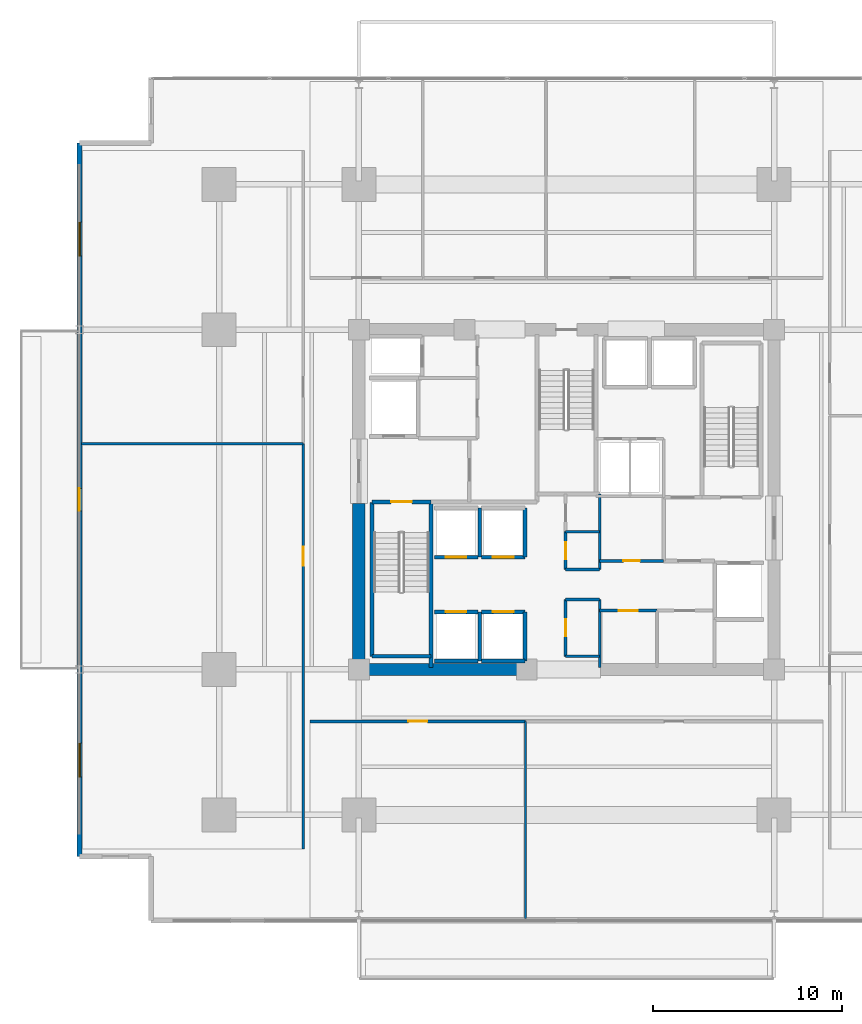
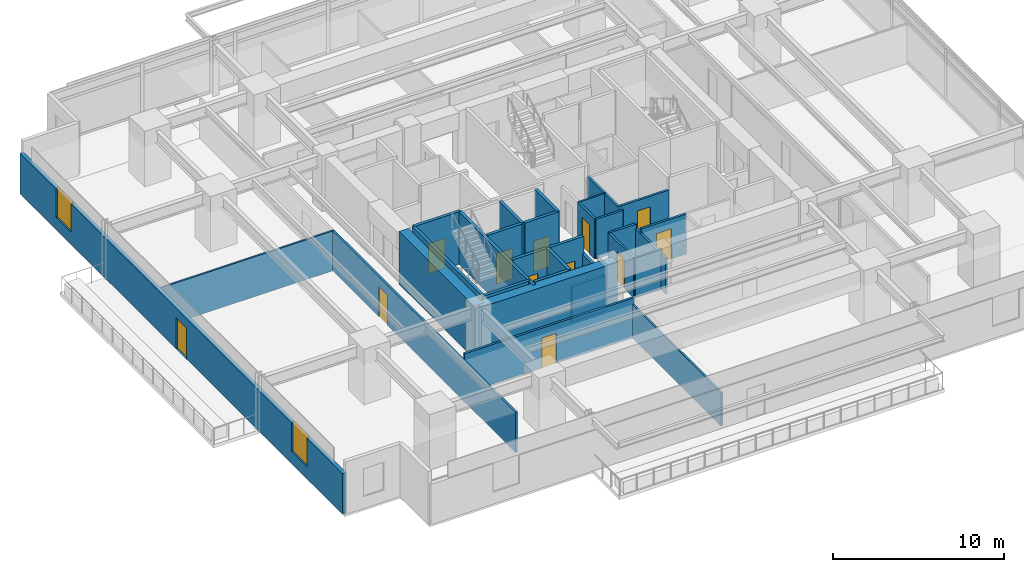
# One storey, part 14 of 22: 31 walls, 12 doors, 2 windows, 14 openings.
"""IFC4 building model written with IfcOpenShell, lengths in metres."""

from ifc_helpers import new_model, si_unit, direction, frame, frame_2d, origin, place, context, subcontext, project, spatial, rectangle, extrude, material, layer, layer_set, type_object, element, fill, save


model = new_model("IFC4")

# Units and contexts
model_context = context("Model", 3, precision=1e-05, world=origin(), true_north=direction((0.0, 1.0)))
body_context = subcontext(model_context, "Body", "Model", "MODEL_VIEW")
ifc_project = project(units=[si_unit("LENGTHUNIT", "METRE"), si_unit("AREAUNIT", "SQUARE_METRE"), si_unit("VOLUMEUNIT", "CUBIC_METRE"), si_unit("PLANEANGLEUNIT", "RADIAN"), si_unit("MASSUNIT", "GRAM", prefix="KILO")], contexts=[model_context])

# Site, building, storey
site_placement = place(None, origin())
site = spatial("IfcSite", under=ifc_project, at=site_placement, CompositionType="ELEMENT")
building_placement = place(site_placement, origin())
building = spatial("IfcBuilding", under=site, at=building_placement, Name="Kovane Verandah Tower", CompositionType="ELEMENT")
storey_placement = place(building_placement, frame((0.0, 0.0, 59.60009765625)))
storey = spatial("IfcBuildingStorey", under=building, at=storey_placement, Name="L13", CompositionType="ELEMENT", Elevation=59.60009765625)

# Walls
ifc_material_1 = material(Name="Fire-Rated Gypsum Stud Partition", Category="gypsum")
ifc_layer_1 = layer(ifc_material_1, 0.14990234375)
ifc_layer_set_1 = layer_set([ifc_layer_1], Name="Fire-Rated Gypsum Stud Partition")
wall_type_1 = type_object("IfcWallType", Name="WL-COR-150", PredefinedType="PARTITIONING", material=ifc_layer_set_1)
for number, where, z_axis, x_axis, name in (
    (1, (39.949951171875, 19.199951171875, 0.0), (0.0, 0.0, 1.0), (1.0, 0.0, 0.0), "L13 Central Core Strip South Wall"),
    (2, (39.949951171875, 22.199951171875, 0.0), (0.0, 0.0, 1.0), (1.0, 0.0, 0.0), "L13 Core Cross-Passage South Wall"),
    (3, (39.949951171875, 23.800048828125, 0.0), (0.0, 0.0, 1.0), (1.0, 0.0, 0.0), "L13 Core Cross-Passage North Wall"),
):
    element("IfcWall", number, at=place(storey_placement, frame(where, z_axis=z_axis, x_axis=x_axis)), inside=storey, type_object=wall_type_1, Name=name, PredefinedType="PARTITIONING", context=body_context, shape_type="SweptSolid", body=[
        extrude(rectangle(XDim=1.81005859375, YDim=0.14990234375, at=frame_2d((0.905029296875, 0.0))), origin(), (0.0, 0.0, 1.0), 2.849853515625),
    ])
wall_1_placement = place(storey_placement, frame((41.760009765625, 18.60009765625, 0.0), z_axis=(0.0, 0.0, 1.0), x_axis=(0.0, 1.0, 0.0)))
element("IfcWall", 4, at=wall_1_placement, inside=storey, type_object=wall_type_1, Name="L13 Central Core Strip Lower East Wall", PredefinedType="PARTITIONING", context=body_context, shape_type="SweptSolid", body=[
    extrude(rectangle(XDim=3.599853515625, YDim=0.14990234375, at=frame_2d((1.7998046875, 0.0))), origin(), (0.0, 0.0, 1.0), 2.539794921875),
])
wall_2_placement = place(storey_placement, frame((41.760009765625, 23.800048828125, 0.0), z_axis=(0.0, 0.0, 1.0), x_axis=(0.0, 1.0, 0.0)))
element("IfcWall", 5, at=wall_2_placement, inside=storey, type_object=wall_type_1, Name="L13 Central Core Strip Upper East Wall", PredefinedType="PARTITIONING", context=body_context, shape_type="SweptSolid", body=[
    extrude(rectangle(XDim=4.0, YDim=0.14990234375, at=frame_2d((2.0, 0.0))), origin(), (0.0, 0.0, 1.0), 2.849853515625),
])

# Wall, opening, door
wall_3_placement = place(storey_placement, frame((39.949951171875, 19.199951171875, 0.0), z_axis=(0.0, 0.0, 1.0), x_axis=(0.0, 1.0, 0.0)))
wall_3 = element("IfcWall", 6, at=wall_3_placement, inside=storey, type_object=wall_type_1, Name="L13 Male Toilet Partition", PredefinedType="PARTITIONING", context=body_context, shape_type="SweptSolid", body=[
    extrude(rectangle(XDim=3.0, YDim=0.14990234375, at=frame_2d((1.5, 0.0))), origin(), (0.0, 0.0, 1.0), 2.849853515625),
])
opening_1_placement = place(wall_3_placement, frame((1.050048828125, 0.0, 0.0)))
opening_1 = element("IfcOpeningElement", 7, at=opening_1_placement, cuts=wall_3, Name="Opening DR-L13-029", PredefinedType="OPENING", context=body_context, shape_type="SweptSolid", body=[
    extrude(rectangle(XDim=0.89990234375, YDim=2.10009765625, at=frame_2d((0.449951171875, 1.050048828125))), frame((0.0, 0.074951171875, 0.0), z_axis=(0.0, -1.0, 0.0), x_axis=(1.0, 0.0, 0.0)), (0.0, 0.0, 1.0), 0.14990234375),
])
ifc_material_2 = material(Name="Moisture-Resistant Laminate Washroom Door", Category="wood")
door_type_1 = type_object("IfcDoorType", Name="DR-WC-900", OperationType="SINGLE_SWING_LEFT", PredefinedType="DOOR", material=ifc_material_2)
door_1_placement = place(opening_1_placement, origin())
door_1 = element("IfcDoor", 8, at=door_1_placement, inside=storey, type_object=door_type_1, Name="L13 Male Toilet Door", OperationType="SINGLE_SWING_LEFT", OverallHeight=2.10009765625, OverallWidth=0.89990234375, PredefinedType="DOOR", context=body_context, shape_type="SweptSolid", body=[
    extrude(rectangle(XDim=0.89990234375, YDim=2.10009765625, at=frame_2d((0.449951171875, 1.050048828125))), frame((0.0, 0.02490234375, 0.0), z_axis=(0.0, -1.0, 0.0), x_axis=(1.0, 0.0, 0.0)), (0.0, 0.0, 1.0), 0.050048828125),
])
fill(opening_1, door_1)

wall_4_placement = place(storey_placement, frame((39.949951171875, 23.800048828125, 0.0), z_axis=(0.0, 0.0, 1.0), x_axis=(0.0, 1.0, 0.0)))
wall_4 = element("IfcWall", 9, at=wall_4_placement, inside=storey, type_object=wall_type_1, Name="L13 Female Toilet Partition", PredefinedType="PARTITIONING", context=body_context, shape_type="SweptSolid", body=[
    extrude(rectangle(XDim=2.0, YDim=0.14990234375, at=frame_2d((1.0, 0.0))), origin(), (0.0, 0.0, 1.0), 2.849853515625),
])
opening_2_placement = place(wall_4_placement, frame((0.550048828125, 0.0, 0.0)))
opening_2 = element("IfcOpeningElement", 10, at=opening_2_placement, cuts=wall_4, Name="Opening DR-L13-028", PredefinedType="OPENING", context=body_context, shape_type="SweptSolid", body=[
    extrude(rectangle(XDim=0.89990234375, YDim=2.10009765625, at=frame_2d((0.449951171875, 1.050048828125))), frame((0.0, 0.074951171875, 0.0), z_axis=(0.0, -1.0, 0.0), x_axis=(1.0, 0.0, 0.0)), (0.0, 0.0, 1.0), 0.14990234375),
])
door_2_placement = place(opening_2_placement, origin())
door_2 = element("IfcDoor", 11, at=door_2_placement, inside=storey, type_object=door_type_1, Name="L13 Female Toilet Door", OperationType="SINGLE_SWING_RIGHT", OverallHeight=2.10009765625, OverallWidth=0.89990234375, PredefinedType="DOOR", context=body_context, shape_type="SweptSolid", body=[
    extrude(rectangle(XDim=0.89990234375, YDim=2.10009765625, at=frame_2d((0.449951171875, 1.050048828125))), frame((0.0, 0.02490234375, 0.0), z_axis=(0.0, -1.0, 0.0), x_axis=(1.0, 0.0, 0.0)), (0.0, 0.0, 1.0), 0.050048828125),
])
fill(opening_2, door_2)

wall_5_placement = place(storey_placement, frame((41.760009765625, 21.6201171875, 0.0), z_axis=(0.0, 0.0, 1.0), x_axis=(1.0, 0.0, 0.0)))
wall_5 = element("IfcWall", 12, at=wall_5_placement, inside=storey, type_object=wall_type_1, Name="L13 AV Control Room Partition", PredefinedType="PARTITIONING", context=body_context, shape_type="SweptSolid", body=[
    extrude(rectangle(XDim=3.0400390625, YDim=0.14990234375, at=frame_2d((1.52001953125, 0.0))), origin(), (0.0, 0.0, 1.0), 2.849853515625),
])
opening_3_placement = place(wall_5_placement, frame((1.02001953125, 0.0, 0.0)))
opening_3 = element("IfcOpeningElement", 13, at=opening_3_placement, cuts=wall_5, Name="Opening DR-L13-015", PredefinedType="OPENING", context=body_context, shape_type="SweptSolid", body=[
    extrude(rectangle(XDim=1.0, YDim=2.14990234375, at=frame_2d((0.5, 1.074951171875))), frame((0.0, 0.074951171875, 0.0), z_axis=(0.0, -1.0, 0.0), x_axis=(1.0, 0.0, 0.0)), (0.0, 0.0, 1.0), 0.14990234375),
])
ifc_material_3 = material(Name="FSC Spotted-Gum Timber Fire-Rated Office Door", Category="wood")
door_type_2 = type_object("IfcDoorType", Name="DR-OFF-1000", OperationType="SINGLE_SWING_LEFT", PredefinedType="DOOR", material=ifc_material_3)
door_3_placement = place(opening_3_placement, origin())
door_3 = element("IfcDoor", 14, at=door_3_placement, inside=storey, type_object=door_type_2, Name="L13 AV Control Room Door", OperationType="SINGLE_SWING_RIGHT", OverallHeight=2.14990234375, OverallWidth=1.0, PredefinedType="DOOR", context=body_context, shape_type="SweptSolid", body=[
    extrude(rectangle(XDim=1.0, YDim=2.14990234375, at=frame_2d((0.5, 1.074951171875))), frame((0.0, 0.02490234375, 0.0), z_axis=(0.0, -1.0, 0.0), x_axis=(1.0, 0.0, 0.0)), (0.0, 0.0, 1.0), 0.050048828125),
])
fill(opening_3, door_3)

wall_6_placement = place(storey_placement, frame((41.760009765625, 24.25, 0.0), z_axis=(0.0, 0.0, 1.0), x_axis=(1.0, 0.0, 0.0)))
wall_6 = element("IfcWall", 15, at=wall_6_placement, inside=storey, type_object=wall_type_1, Name="L13 Cleaner Store Partition", PredefinedType="PARTITIONING", context=body_context, shape_type="SweptSolid", body=[
    extrude(rectangle(XDim=3.389892578125, YDim=0.14990234375, at=frame_2d((1.69482421875, 0.0))), origin(), (0.0, 0.0, 1.0), 2.849853515625),
])
opening_4_placement = place(wall_6_placement, frame((1.2548828125, 0.0, 0.0)))
opening_4 = element("IfcOpeningElement", 16, at=opening_4_placement, cuts=wall_6, Name="Opening DR-L13-017", PredefinedType="OPENING", context=body_context, shape_type="SweptSolid", body=[
    extrude(rectangle(XDim=0.8798828125, YDim=2.10009765625, at=frame_2d((0.43994140625, 1.050048828125))), frame((0.0, 0.074951171875, 0.0), z_axis=(0.0, -1.0, 0.0), x_axis=(1.0, 0.0, 0.0)), (0.0, 0.0, 1.0), 0.14990234375),
])
ifc_material_4 = material(Name="Fire-Rated Steel Riser Access Door", Category="steel")
door_type_3 = type_object("IfcDoorType", Name="DR-RISER-880", OperationType="SINGLE_SWING_LEFT", PredefinedType="DOOR", material=ifc_material_4)
door_4_placement = place(opening_4_placement, origin())
door_4 = element("IfcDoor", 17, at=door_4_placement, inside=storey, type_object=door_type_3, Name="L13 Cleaner Store Door", OperationType="SINGLE_SWING_RIGHT", OverallHeight=2.10009765625, OverallWidth=0.8798828125, PredefinedType="DOOR", context=body_context, shape_type="SweptSolid", body=[
    extrude(rectangle(XDim=0.8798828125, YDim=2.10009765625, at=frame_2d((0.43994140625, 1.050048828125))), frame((0.0, 0.02490234375, 0.0), z_axis=(0.0, -1.0, 0.0), x_axis=(1.0, 0.0, 0.0)), (0.0, 0.0, 1.0), 0.050048828125),
])
fill(opening_4, door_4)

wall_7_placement = place(storey_placement, frame((26.39990234375, 15.75, 0.0), z_axis=(0.0, 0.0, 1.0), x_axis=(1.0, 0.0, 0.0)))
wall_7 = element("IfcWall", 18, at=wall_7_placement, inside=storey, type_object=wall_type_1, Name="L13 Collaboration Hub S1 Corridor Partition", PredefinedType="PARTITIONING", context=body_context, shape_type="SweptSolid", body=[
    extrude(rectangle(XDim=11.424072265625, YDim=0.14990234375, at=frame_2d((5.7119140625, 0.0))), origin(), (0.0, 0.0, 1.0), 2.849853515625),
])
opening_5_placement = place(wall_7_placement, frame((5.22705078125, 0.0, 0.0)))
opening_5 = element("IfcOpeningElement", 19, at=opening_5_placement, cuts=wall_7, Name="Opening DR-L13-024", PredefinedType="OPENING", context=body_context, shape_type="SweptSolid", body=[
    extrude(rectangle(XDim=1.0, YDim=2.14990234375, at=frame_2d((0.5, 1.074951171875))), frame((0.0, 0.074951171875, 0.0), z_axis=(0.0, -1.0, 0.0), x_axis=(1.0, 0.0, 0.0)), (0.0, 0.0, 1.0), 0.14990234375),
])
door_5_placement = place(opening_5_placement, origin())
door_5 = element("IfcDoor", 20, at=door_5_placement, inside=storey, type_object=door_type_2, Name="L13 Collaboration Hub S1 Entrance Door", OperationType="SINGLE_SWING_LEFT", OverallHeight=2.14990234375, OverallWidth=1.0, PredefinedType="DOOR", context=body_context, shape_type="SweptSolid", body=[
    extrude(rectangle(XDim=1.0, YDim=2.14990234375, at=frame_2d((0.5, 1.074951171875))), frame((0.0, 0.02490234375, 0.0), z_axis=(0.0, -1.0, 0.0), x_axis=(1.0, 0.0, 0.0)), (0.0, 0.0, 1.0), 0.050048828125),
])
fill(opening_5, door_5)

wall_8_placement = place(storey_placement, frame((26.050048828125, 8.996337890625, 0.0), z_axis=(0.0, 0.0, 1.0), x_axis=(0.0, 1.0, 0.0)))
wall_8 = element("IfcWall", 21, at=wall_8_placement, inside=storey, type_object=wall_type_1, Name="L13 Open Plan Office W1 Corridor Partition", PredefinedType="PARTITIONING", context=body_context, shape_type="SweptSolid", body=[
    extrude(rectangle(XDim=21.46435546875, YDim=0.14990234375, at=frame_2d((10.732177734375, 0.0))), origin(), (0.0, 0.0, 1.0), 2.849853515625),
])
opening_6_placement = place(wall_8_placement, frame((14.998779296875, 0.0, 0.0)))
opening_6 = element("IfcOpeningElement", 22, at=opening_6_placement, cuts=wall_8, Name="Opening DR-L13-030", PredefinedType="OPENING", context=body_context, shape_type="SweptSolid", body=[
    extrude(rectangle(XDim=1.0, YDim=2.14990234375, at=frame_2d((0.5, 1.074951171875))), frame((0.0, 0.074951171875, 0.0), z_axis=(0.0, -1.0, 0.0), x_axis=(1.0, 0.0, 0.0)), (0.0, 0.0, 1.0), 0.14990234375),
])
door_6_placement = place(opening_6_placement, origin())
door_6 = element("IfcDoor", 23, at=door_6_placement, inside=storey, type_object=door_type_2, Name="L13 Open Plan Office W1 Entrance Door", OperationType="SINGLE_SWING_LEFT", OverallHeight=2.14990234375, OverallWidth=1.0, PredefinedType="DOOR", context=body_context, shape_type="SweptSolid", body=[
    extrude(rectangle(XDim=1.0, YDim=2.14990234375, at=frame_2d((0.5, 1.074951171875))), frame((0.0, 0.02490234375, 0.0), z_axis=(0.0, -1.0, 0.0), x_axis=(1.0, 0.0, 0.0)), (0.0, 0.0, 1.0), 0.050048828125),
])
fill(opening_6, door_6)

# Walls
ifc_material_5 = material(Name="Concrete C80/95", Category="concrete")
ifc_layer_2 = layer(ifc_material_5, 0.64990234375)
ifc_layer_set_2 = layer_set([ifc_layer_2], Name="Concrete C80/95")
wall_type_2 = type_object("IfcWallType", Name="WL-CORE-650", PredefinedType="SHEAR", material=ifc_layer_set_2)
wall_9_placement = place(storey_placement, frame((29.0, 18.5, 0.0), z_axis=(0.0, 0.0, 1.0), x_axis=(1.0, 0.0, 0.0)))
element("IfcWall", 24, at=wall_9_placement, inside=storey, type_object=wall_type_2, Name="L13 Core Shear Wall CS-1", PredefinedType="SHEAR", context=body_context, shape_type="SweptSolid", body=[
    extrude(rectangle(XDim=9.199951171875, YDim=0.64990234375, at=frame_2d((4.60009765625, 0.0))), origin(), (0.0, 0.0, 1.0), 3.760009765625),
])
wall_10_placement = place(storey_placement, frame((29.0, 18.5, 0.0), z_axis=(0.0, 0.0, 1.0), x_axis=(0.0, 1.0, 0.0)))
element("IfcWall", 25, at=wall_10_placement, inside=storey, type_object=wall_type_2, Name="L13 Core Shear Wall CW-1", PredefinedType="SHEAR", context=body_context, shape_type="SweptSolid", body=[
    extrude(rectangle(XDim=8.800048828125, YDim=0.64990234375, at=frame_2d((4.39990234375, 0.0))), origin(), (0.0, 0.0, 1.0), 3.760009765625),
])
ifc_material_6 = material(Name="Concrete C45/55 Lift Shaft Wall", Category="concrete")
ifc_layer_3 = layer(ifc_material_6, 0.199951171875)
ifc_layer_set_3 = layer_set([ifc_layer_3], Name="Concrete C45/55 Lift Shaft Wall")
wall_type_3 = type_object("IfcWallType", Name="WL-LIFT-200", PredefinedType="SOLIDWALL", material=ifc_layer_set_3)
wall_11_placement = place(storey_placement, frame((33.0, 18.949951171875, 0.0), z_axis=(0.0, 0.0, 1.0), x_axis=(1.0, 0.0, 0.0)))
element("IfcWall", 26, at=wall_11_placement, inside=storey, type_object=wall_type_3, Name="L13 Lift PL-L1 S Shaft Wall", PredefinedType="SOLIDWALL", context=body_context, shape_type="SweptSolid", body=[
    extrude(rectangle(XDim=2.300048828125, YDim=0.199951171875, at=frame_2d((1.14990234375, 0.0))), origin(), (0.0, 0.0, 1.0), 3.760009765625),
])

# Wall, opening, door
wall_12_placement = place(storey_placement, frame((35.300048828125, 21.550048828125, 0.0), z_axis=(0.0, 0.0, 1.0), x_axis=(-1.0, 0.0, 0.0)))
wall_12 = element("IfcWall", 27, at=wall_12_placement, inside=storey, type_object=wall_type_3, Name="L13 Lift PL-L1 N Shaft Wall", PredefinedType="SOLIDWALL", context=body_context, shape_type="SweptSolid", body=[
    extrude(rectangle(XDim=2.300048828125, YDim=0.199951171875, at=frame_2d((1.14990234375, 0.0))), origin(), (0.0, 0.0, 1.0), 3.760009765625),
])
opening_7_placement = place(wall_12_placement, frame((0.60009765625, 0.0, 0.0)))
opening_7 = element("IfcOpeningElement", 28, at=opening_7_placement, cuts=wall_12, Name="Opening LD-L13-004", PredefinedType="OPENING", context=body_context, shape_type="SweptSolid", body=[
    extrude(rectangle(XDim=1.10009765625, YDim=2.199951171875, at=frame_2d((0.550048828125, 1.10009765625))), frame((0.0, 0.10009765625, 0.0), z_axis=(0.0, -1.0, 0.0), x_axis=(1.0, 0.0, 0.0)), (0.0, 0.0, 1.0), 0.199951171875),
])
ifc_material_7 = material(Name="Brushed Stainless Steel Sliding Lift Landing Door", Category="steel")
door_type_4 = type_object("IfcDoorType", Name="DR-LIFT-1100", OperationType="SLIDING_TO_RIGHT", PredefinedType="DOOR", material=ifc_material_7)
door_7_placement = place(opening_7_placement, origin())
door_7 = element("IfcDoor", 29, at=door_7_placement, inside=storey, type_object=door_type_4, Name="L13 Lift PL-L1 Sliding Landing Door", OperationType="SLIDING_TO_RIGHT", OverallHeight=2.199951171875, OverallWidth=1.10009765625, PredefinedType="DOOR", context=body_context, shape_type="SweptSolid", body=[
    extrude(rectangle(XDim=1.10009765625, YDim=2.199951171875, at=frame_2d((0.550048828125, 1.10009765625))), frame((0.0, 0.02490234375, 0.0), z_axis=(0.0, -1.0, 0.0), x_axis=(1.0, 0.0, 0.0)), (0.0, 0.0, 1.0), 0.050048828125),
])
fill(opening_7, door_7)

# Walls
wall_13_placement = place(storey_placement, frame((35.39990234375, 18.949951171875, 0.0), z_axis=(0.0, 0.0, 1.0), x_axis=(0.0, 1.0, 0.0)))
element("IfcWall", 30, at=wall_13_placement, inside=storey, type_object=wall_type_3, Name="L13 Lift PL-L1 and PL-L2 Shared Shaft Wall", PredefinedType="SOLIDWALL", context=body_context, shape_type="SweptSolid", body=[
    extrude(rectangle(XDim=2.60009765625, YDim=0.199951171875, at=frame_2d((1.300048828125, 0.0))), origin(), (0.0, 0.0, 1.0), 3.760009765625),
])
wall_14_placement = place(storey_placement, frame((35.5, 18.949951171875, 0.0), z_axis=(0.0, 0.0, 1.0), x_axis=(1.0, 0.0, 0.0)))
element("IfcWall", 31, at=wall_14_placement, inside=storey, type_object=wall_type_3, Name="L13 Lift PL-L2 S Shaft Wall", PredefinedType="SOLIDWALL", context=body_context, shape_type="SweptSolid", body=[
    extrude(rectangle(XDim=2.300048828125, YDim=0.199951171875, at=frame_2d((1.14990234375, 0.0))), origin(), (0.0, 0.0, 1.0), 2.539794921875),
])

# Wall, opening, door
wall_15_placement = place(storey_placement, frame((37.800048828125, 21.550048828125, 0.0), z_axis=(0.0, 0.0, 1.0), x_axis=(-1.0, 0.0, 0.0)))
wall_15 = element("IfcWall", 32, at=wall_15_placement, inside=storey, type_object=wall_type_3, Name="L13 Lift PL-L2 N Shaft Wall", PredefinedType="SOLIDWALL", context=body_context, shape_type="SweptSolid", body=[
    extrude(rectangle(XDim=2.300048828125, YDim=0.199951171875, at=frame_2d((1.14990234375, 0.0))), origin(), (0.0, 0.0, 1.0), 3.760009765625),
])
opening_8_placement = place(wall_15_placement, frame((0.60009765625, 0.0, 0.0)))
opening_8 = element("IfcOpeningElement", 33, at=opening_8_placement, cuts=wall_15, Name="Opening LD-L13-005", PredefinedType="OPENING", context=body_context, shape_type="SweptSolid", body=[
    extrude(rectangle(XDim=1.10009765625, YDim=2.199951171875, at=frame_2d((0.550048828125, 1.10009765625))), frame((0.0, 0.10009765625, 0.0), z_axis=(0.0, -1.0, 0.0), x_axis=(1.0, 0.0, 0.0)), (0.0, 0.0, 1.0), 0.199951171875),
])
door_8_placement = place(opening_8_placement, origin())
door_8 = element("IfcDoor", 34, at=door_8_placement, inside=storey, type_object=door_type_4, Name="L13 Lift PL-L2 Sliding Landing Door", OperationType="SLIDING_TO_RIGHT", OverallHeight=2.199951171875, OverallWidth=1.10009765625, PredefinedType="DOOR", context=body_context, shape_type="SweptSolid", body=[
    extrude(rectangle(XDim=1.10009765625, YDim=2.199951171875, at=frame_2d((0.550048828125, 1.10009765625))), frame((0.0, 0.02490234375, 0.0), z_axis=(0.0, -1.0, 0.0), x_axis=(1.0, 0.0, 0.0)), (0.0, 0.0, 1.0), 0.050048828125),
])
fill(opening_8, door_8)

# Wall
wall_16_placement = place(storey_placement, frame((37.800048828125, 18.949951171875, 0.0), z_axis=(0.0, 0.0, 1.0), x_axis=(0.0, 1.0, 0.0)))
element("IfcWall", 35, at=wall_16_placement, inside=storey, type_object=wall_type_3, Name="L13 Lift PL-L2 E Shaft Wall", PredefinedType="SOLIDWALL", context=body_context, shape_type="SweptSolid", body=[
    extrude(rectangle(XDim=2.60009765625, YDim=0.199951171875, at=frame_2d((1.300048828125, 0.0))), origin(), (0.0, 0.0, 1.0), 2.539794921875),
])

# Wall, opening, door
wall_17_placement = place(storey_placement, frame((33.0, 24.449951171875, 0.0), z_axis=(0.0, 0.0, 1.0), x_axis=(1.0, 0.0, 0.0)))
wall_17 = element("IfcWall", 36, at=wall_17_placement, inside=storey, type_object=wall_type_3, Name="L13 Lift PL-L3 S Shaft Wall", PredefinedType="SOLIDWALL", context=body_context, shape_type="SweptSolid", body=[
    extrude(rectangle(XDim=2.300048828125, YDim=0.199951171875, at=frame_2d((1.14990234375, 0.0))), origin(), (0.0, 0.0, 1.0), 3.760009765625),
])
opening_9_placement = place(wall_17_placement, frame((0.60009765625, 0.0, 0.0)))
opening_9 = element("IfcOpeningElement", 37, at=opening_9_placement, cuts=wall_17, Name="Opening LD-L13-006", PredefinedType="OPENING", context=body_context, shape_type="SweptSolid", body=[
    extrude(rectangle(XDim=1.10009765625, YDim=2.199951171875, at=frame_2d((0.550048828125, 1.10009765625))), frame((0.0, 0.10009765625, 0.0), z_axis=(0.0, -1.0, 0.0), x_axis=(1.0, 0.0, 0.0)), (0.0, 0.0, 1.0), 0.199951171875),
])
door_9_placement = place(opening_9_placement, origin())
door_9 = element("IfcDoor", 38, at=door_9_placement, inside=storey, type_object=door_type_4, Name="L13 Lift PL-L3 Sliding Landing Door", OperationType="SLIDING_TO_RIGHT", OverallHeight=2.199951171875, OverallWidth=1.10009765625, PredefinedType="DOOR", context=body_context, shape_type="SweptSolid", body=[
    extrude(rectangle(XDim=1.10009765625, YDim=2.199951171875, at=frame_2d((0.550048828125, 1.10009765625))), frame((0.0, 0.02490234375, 0.0), z_axis=(0.0, -1.0, 0.0), x_axis=(1.0, 0.0, 0.0)), (0.0, 0.0, 1.0), 0.050048828125),
])
fill(opening_9, door_9)

# Wall
wall_18_placement = place(storey_placement, frame((35.39990234375, 24.449951171875, 0.0), z_axis=(0.0, 0.0, 1.0), x_axis=(0.0, 1.0, 0.0)))
element("IfcWall", 39, at=wall_18_placement, inside=storey, type_object=wall_type_3, Name="L13 Lift PL-L3 and PL-L4 Shared Shaft Wall", PredefinedType="SOLIDWALL", context=body_context, shape_type="SweptSolid", body=[
    extrude(rectangle(XDim=2.60009765625, YDim=0.199951171875, at=frame_2d((1.300048828125, 0.0))), origin(), (0.0, 0.0, 1.0), 3.760009765625),
])

# Wall, opening, door
wall_19_placement = place(storey_placement, frame((35.5, 24.449951171875, 0.0), z_axis=(0.0, 0.0, 1.0), x_axis=(1.0, 0.0, 0.0)))
wall_19 = element("IfcWall", 40, at=wall_19_placement, inside=storey, type_object=wall_type_3, Name="L13 Lift PL-L4 S Shaft Wall", PredefinedType="SOLIDWALL", context=body_context, shape_type="SweptSolid", body=[
    extrude(rectangle(XDim=2.300048828125, YDim=0.199951171875, at=frame_2d((1.14990234375, 0.0))), origin(), (0.0, 0.0, 1.0), 3.760009765625),
])
opening_10_placement = place(wall_19_placement, frame((0.60009765625, 0.0, 0.0)))
opening_10 = element("IfcOpeningElement", 41, at=opening_10_placement, cuts=wall_19, Name="Opening LD-L13-007", PredefinedType="OPENING", context=body_context, shape_type="SweptSolid", body=[
    extrude(rectangle(XDim=1.10009765625, YDim=2.199951171875, at=frame_2d((0.550048828125, 1.10009765625))), frame((0.0, 0.10009765625, 0.0), z_axis=(0.0, -1.0, 0.0), x_axis=(1.0, 0.0, 0.0)), (0.0, 0.0, 1.0), 0.199951171875),
])
door_10_placement = place(opening_10_placement, origin())
door_10 = element("IfcDoor", 42, at=door_10_placement, inside=storey, type_object=door_type_4, Name="L13 Lift PL-L4 Sliding Landing Door", OperationType="SLIDING_TO_RIGHT", OverallHeight=2.199951171875, OverallWidth=1.10009765625, PredefinedType="DOOR", context=body_context, shape_type="SweptSolid", body=[
    extrude(rectangle(XDim=1.10009765625, YDim=2.199951171875, at=frame_2d((0.550048828125, 1.10009765625))), frame((0.0, 0.02490234375, 0.0), z_axis=(0.0, -1.0, 0.0), x_axis=(1.0, 0.0, 0.0)), (0.0, 0.0, 1.0), 0.050048828125),
])
fill(opening_10, door_10)

# Walls
wall_20_placement = place(storey_placement, frame((37.800048828125, 24.449951171875, 0.0), z_axis=(0.0, 0.0, 1.0), x_axis=(0.0, 1.0, 0.0)))
element("IfcWall", 43, at=wall_20_placement, inside=storey, type_object=wall_type_3, Name="L13 Lift PL-L4 E Shaft Wall", PredefinedType="SOLIDWALL", context=body_context, shape_type="SweptSolid", body=[
    extrude(rectangle(XDim=2.60009765625, YDim=0.199951171875, at=frame_2d((1.300048828125, 0.0))), origin(), (0.0, 0.0, 1.0), 3.760009765625),
])
ifc_material_8 = material(Name="Acoustic Fire-Rated Gypsum Partition", Category="gypsum")
ifc_layer_4 = layer(ifc_material_8, 0.1201171875)
ifc_layer_set_4 = layer_set([ifc_layer_4], Name="Acoustic Fire-Rated Gypsum Partition")
wall_type_4 = type_object("IfcWallType", Name="WL-PART-120", PredefinedType="PARTITIONING", material=ifc_layer_set_4)
wall_21_placement = place(storey_placement, frame((39.949951171875, 25.800048828125, 0.0), z_axis=(0.0, 0.0, 1.0), x_axis=(1.0, 0.0, 0.0)))
element("IfcWall", 44, at=wall_21_placement, inside=storey, type_object=wall_type_4, Name="L13 Central Core Strip Upper Dividing Partition", PredefinedType="PARTITIONING", context=body_context, shape_type="SweptSolid", body=[
    extrude(rectangle(XDim=1.81005859375, YDim=0.1201171875, at=frame_2d((0.905029296875, 0.0))), origin(), (0.0, 0.0, 1.0), 2.849853515625),
])
wall_22_placement = place(storey_placement, frame((37.823974609375, 5.29638671875, 0.0), z_axis=(0.0, 0.0, 1.0), x_axis=(0.0, 1.0, 0.0)))
element("IfcWall", 45, at=wall_22_placement, inside=storey, type_object=wall_type_4, Name="L13 Collaboration Hub S1 Dividing Partition", PredefinedType="PARTITIONING", context=body_context, shape_type="SweptSolid", body=[
    extrude(rectangle(XDim=10.45361328125, YDim=0.1201171875, at=frame_2d((5.226806640625, 0.0))), origin(), (0.0, 0.0, 1.0), 2.389892578125),
])
wall_23_placement = place(storey_placement, frame((14.294921875, 30.460693359375, 0.0), z_axis=(0.0, 0.0, 1.0), x_axis=(1.0, 0.0, 0.0)))
element("IfcWall", 46, at=wall_23_placement, inside=storey, type_object=wall_type_4, Name="L13 Open Plan Office W1 Dividing Partition", PredefinedType="PARTITIONING", context=body_context, shape_type="SweptSolid", body=[
    extrude(rectangle(XDim=11.755126953125, YDim=0.1201171875, at=frame_2d((5.87744140625, 0.0))), origin(), (0.0, 0.0, 1.0), 2.849853515625),
])
ifc_material_9 = material(Name="Concrete C45/55", Category="concrete")
ifc_layer_5 = layer(ifc_material_9, 0.199951171875)
ifc_layer_set_5 = layer_set([ifc_layer_5], Name="Concrete C45/55")
wall_type_5 = type_object("IfcWallType", Name="WL-SHAFT-200", PredefinedType="SOLIDWALL", material=ifc_layer_set_5)
wall_24_placement = place(storey_placement, frame((29.699951171875, 19.199951171875, 0.0), z_axis=(0.0, 0.0, 1.0), x_axis=(0.0, 1.0, 0.0)))
element("IfcWall", 47, at=wall_24_placement, inside=storey, type_object=wall_type_5, Name="W-L13-ST01-W", PredefinedType="SOLIDWALL", context=body_context, shape_type="SweptSolid", body=[
    extrude(rectangle(XDim=8.150146484375, YDim=0.199951171875, at=frame_2d((4.0751953125, 0.0))), origin(), (0.0, 0.0, 1.0), 3.760009765625),
])
wall_25_placement = place(storey_placement, frame((29.699951171875, 19.199951171875, 0.0), z_axis=(0.0, 0.0, 1.0), x_axis=(1.0, 0.0, 0.0)))
element("IfcWall", 48, at=wall_25_placement, inside=storey, type_object=wall_type_5, Name="W-L13-ST01-S", PredefinedType="SOLIDWALL", context=body_context, shape_type="SweptSolid", body=[
    extrude(rectangle(XDim=3.1201171875, YDim=0.199951171875, at=frame_2d((1.56005859375, 0.0))), origin(), (0.0, 0.0, 1.0), 3.760009765625),
])
wall_26_placement = place(storey_placement, frame((32.820068359375, 18.60009765625, 0.0), z_axis=(0.0, 0.0, 1.0), x_axis=(0.0, 1.0, 0.0)))
element("IfcWall", 49, at=wall_26_placement, inside=storey, type_object=wall_type_5, Name="W-L13-ST01-E", PredefinedType="SOLIDWALL", context=body_context, shape_type="SweptSolid", body=[
    extrude(rectangle(XDim=8.77978515625, YDim=0.199951171875, at=frame_2d((4.389892578125, 0.0))), origin(), (0.0, 0.0, 1.0), 3.760009765625),
])

# Wall, opening, door
wall_27_placement = place(storey_placement, frame((29.699951171875, 27.3798828125, 0.0), z_axis=(0.0, 0.0, 1.0), x_axis=(1.0, 0.0, 0.0)))
wall_27 = element("IfcWall", 50, at=wall_27_placement, inside=storey, type_object=wall_type_5, Name="W-L13-ST01-N", PredefinedType="SOLIDWALL", context=body_context, shape_type="SweptSolid", body=[
    extrude(rectangle(XDim=3.1201171875, YDim=0.199951171875, at=frame_2d((1.56005859375, 0.0))), origin(), (0.0, 0.0, 1.0), 3.760009765625),
])
opening_11_placement = place(wall_27_placement, frame((1.010009765625, 0.0, 0.0)))
opening_11 = element("IfcOpeningElement", 51, at=opening_11_placement, cuts=wall_27, Name="Opening DR-L13-009", PredefinedType="OPENING", context=body_context, shape_type="SweptSolid", body=[
    extrude(rectangle(XDim=1.10009765625, YDim=2.14990234375, at=frame_2d((0.550048828125, 1.074951171875))), frame((0.0, 0.10009765625, 0.0), z_axis=(0.0, -1.0, 0.0), x_axis=(1.0, 0.0, 0.0)), (0.0, 0.0, 1.0), 0.199951171875),
])
ifc_material_10 = material(Name="Fire-Rated Steel Exit Door", Category="steel")
door_type_5 = type_object("IfcDoorType", Name="DR-STAIR-1100", OperationType="SINGLE_SWING_LEFT", PredefinedType="DOOR", material=ifc_material_10)
door_11_placement = place(opening_11_placement, origin())
door_11 = element("IfcDoor", 52, at=door_11_placement, inside=storey, type_object=door_type_5, Name="L13 ST-01 Fire Exit Stair Door", OperationType="SINGLE_SWING_RIGHT", OverallHeight=2.14990234375, OverallWidth=1.10009765625, PredefinedType="DOOR", context=body_context, shape_type="SweptSolid", body=[
    extrude(rectangle(XDim=1.10009765625, YDim=2.14990234375, at=frame_2d((0.550048828125, 1.074951171875))), frame((0.0, 0.02490234375, 0.0), z_axis=(0.0, -1.0, 0.0), x_axis=(1.0, 0.0, 0.0)), (0.0, 0.0, 1.0), 0.050048828125),
])
fill(opening_11, door_11)

# Wall, openings, door, windows
ifc_material_11 = material(Name="Concrete C45/55 Insulated Spandrel Wall", Category="concrete")
ifc_layer_6 = layer(ifc_material_11, 0.260009765625)
ifc_layer_set_6 = layer_set([ifc_layer_6], Name="Concrete C45/55 Insulated Spandrel Wall")
wall_type_6 = type_object("IfcWallType", Name="WL-SPANDREL-260", PredefinedType="PARAPET", material=ifc_layer_set_6)
wall_28_placement = place(storey_placement, frame((14.19482421875, 46.403564453125, 0.0), z_axis=(0.0, 0.0, 1.0), x_axis=(0.0, -1.0, 0.0)))
wall_28 = element("IfcWall", 53, at=wall_28_placement, inside=storey, type_object=wall_type_6, Name="L13 W Verandah Access Facade Wall", PredefinedType="PARAPET", context=body_context, shape_type="SweptSolid", body=[
    extrude(rectangle(XDim=37.80712890625, YDim=0.260009765625, at=frame_2d((18.903564453125, 0.0))), origin(), (0.0, 0.0, 1.0), 2.88916015625),
])
opening_12_placement = place(wall_28_placement, frame((4.199951171875, 0.0, 0.85009765625)))
opening_12 = element("IfcOpeningElement", 54, at=opening_12_placement, cuts=wall_28, Name="Opening W-03", PredefinedType="OPENING", context=body_context, shape_type="SweptSolid", body=[
    extrude(rectangle(XDim=1.800048828125, YDim=2.199951171875, at=frame_2d((0.89990234375, 1.10009765625))), frame((0.0, 0.1298828125, 0.0), z_axis=(0.0, -1.0, 0.0), x_axis=(1.0, 0.0, 0.0)), (0.0, 0.0, 1.0), 0.260009765625),
])
opening_13_placement = place(wall_28_placement, frame((18.3037109375, 0.0, 0.0)))
opening_13 = element("IfcOpeningElement", 55, at=opening_13_placement, cuts=wall_28, Name="Opening DR-L13-002", PredefinedType="OPENING", context=body_context, shape_type="SweptSolid", body=[
    extrude(rectangle(XDim=1.199951171875, YDim=2.199951171875, at=frame_2d((0.60009765625, 1.10009765625))), frame((0.0, 0.1298828125, 0.0), z_axis=(0.0, -1.0, 0.0), x_axis=(1.0, 0.0, 0.0)), (0.0, 0.0, 1.0), 0.260009765625),
])
opening_14_placement = place(wall_28_placement, frame((31.80712890625, 0.0, 0.85009765625)))
opening_14 = element("IfcOpeningElement", 56, at=opening_14_placement, cuts=wall_28, Name="Opening W-03", PredefinedType="OPENING", context=body_context, shape_type="SweptSolid", body=[
    extrude(rectangle(XDim=1.800048828125, YDim=2.199951171875, at=frame_2d((0.89990234375, 1.10009765625))), frame((0.0, 0.1298828125, 0.0), z_axis=(0.0, -1.0, 0.0), x_axis=(1.0, 0.0, 0.0)), (0.0, 0.0, 1.0), 0.260009765625),
])
ifc_material_12 = material(Name="Cyclone-Rated Glazed Balcony Leaf Door", Category="aluminium")
door_type_6 = type_object("IfcDoorType", Name="DR-BAL-1200x2200", OperationType="SINGLE_SWING_LEFT", PredefinedType="DOOR", material=ifc_material_12)
door_12_placement = place(opening_13_placement, origin())
door_12 = element("IfcDoor", 57, at=door_12_placement, inside=storey, type_object=door_type_6, Name="L13 W Planted Balcony Access Door", OperationType="SINGLE_SWING_LEFT", OverallHeight=2.199951171875, OverallWidth=1.199951171875, PredefinedType="DOOR", context=body_context, shape_type="SweptSolid", body=[
    extrude(rectangle(XDim=1.199951171875, YDim=2.199951171875, at=frame_2d((0.60009765625, 1.10009765625))), frame((0.0, 0.02490234375, 0.0), z_axis=(0.0, -1.0, 0.0), x_axis=(1.0, 0.0, 0.0)), (0.0, 0.0, 1.0), 0.050048828125),
])
fill(opening_13, door_12)
ifc_material_13 = material(Name="Clear Low-E Laminated Double Glazing in Anodised Frame", Category="glass")
window_type = type_object("IfcWindowType", Name="WN-NOTCH-1800x2200", PartitioningType="SINGLE_PANEL", PredefinedType="WINDOW", material=ifc_material_13)
window_1_placement = place(opening_12_placement, origin())
window_1 = element("IfcWindow", 58, at=window_1_placement, inside=storey, type_object=window_type, Name="L13 W Verandah View Window 1", OverallHeight=2.199951171875, OverallWidth=1.800048828125, PartitioningType="SINGLE_PANEL", PredefinedType="WINDOW", context=body_context, shape_type="SweptSolid", body=[
    extrude(rectangle(XDim=1.800048828125, YDim=2.199951171875, at=frame_2d((0.89990234375, 1.10009765625))), frame((0.0, 0.030029296875, 0.0), z_axis=(0.0, -1.0, 0.0), x_axis=(1.0, 0.0, 0.0)), (0.0, 0.0, 1.0), 0.06005859375),
])
fill(opening_12, window_1)
window_2_placement = place(opening_14_placement, origin())
window_2 = element("IfcWindow", 59, at=window_2_placement, inside=storey, type_object=window_type, Name="L13 W Verandah View Window 2", OverallHeight=2.199951171875, OverallWidth=1.800048828125, PartitioningType="SINGLE_PANEL", PredefinedType="WINDOW", context=body_context, shape_type="SweptSolid", body=[
    extrude(rectangle(XDim=1.800048828125, YDim=2.199951171875, at=frame_2d((0.89990234375, 1.10009765625))), frame((0.0, 0.030029296875, 0.0), z_axis=(0.0, -1.0, 0.0), x_axis=(1.0, 0.0, 0.0)), (0.0, 0.0, 1.0), 0.06005859375),
])
fill(opening_14, window_2)

save(model, "model.ifc")
